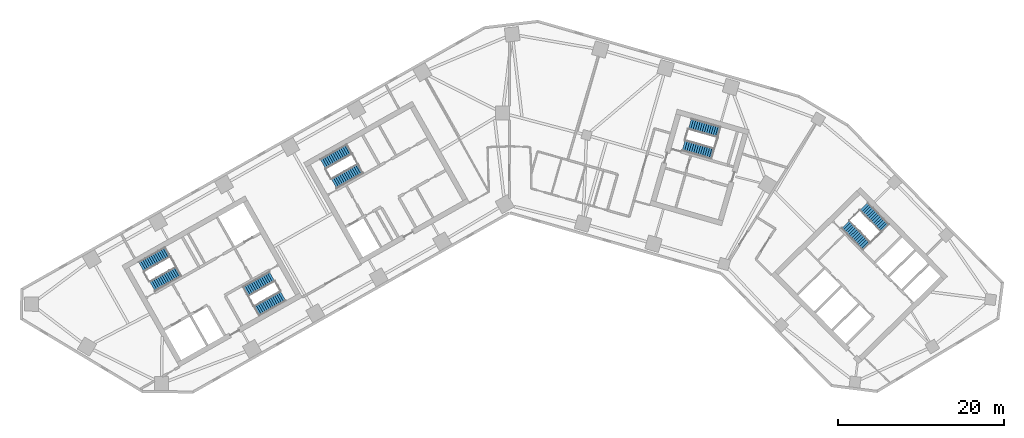
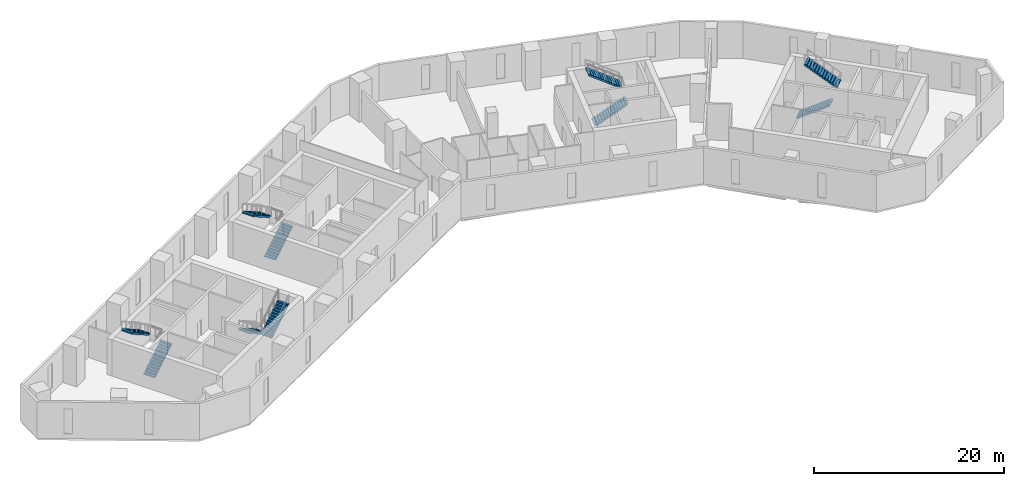
# One storey, part 8 of 10: 10 stair flights, 5 elements without a shape of their own.
"""IFC4 building model written with IfcOpenShell, lengths in metres."""

import ifcopenshell
import ifcopenshell.guid

model = None  # the IFC model being written
_history = None  # IfcOwnerHistory: only IFC2X3 demands one
_inside = {}  # id of a spatial element -> (the spatial element, [elements in it])
_under = {}  # id of a project, library or spatial element -> (it, [spatial elements below it])
_declared = {}  # id of a project -> (the project, [libraries it declares])
_typed = {}  # id of a type object -> (the type object, [elements of that type])
_made_of = {}  # id of a material, layer set ... -> (it, [elements and type objects made of it])


def new_model(schema):
    """Start an empty IFC model of exactly this schema.

    Asked for "IFC4X3", IfcOpenShell would pick the latest addendum, in which some entities
    have other attributes; the version numbers below select the first issue.
    IFC2X3 requires an IfcOwnerHistory on every rooted entity: one is made here for all.
    """
    global model, _history
    if schema == "IFC4X3":
        model = ifcopenshell.file(schema_version=(4, 3, 0, 0))
    else:
        model = ifcopenshell.file(schema=schema)
    _inside.clear()
    _under.clear()
    _declared.clear()
    _typed.clear()
    _made_of.clear()
    _history = None
    if model.schema == "IFC2X3":
        org = make("IfcOrganization", Name="unknown")
        user = make(
            "IfcPersonAndOrganization",
            ThePerson=make("IfcPerson", FamilyName="unknown"),
            TheOrganization=org,
        )
        app = make(
            "IfcApplication",
            ApplicationDeveloper=org,
            Version="unknown",
            ApplicationFullName="unknown",
            ApplicationIdentifier="unknown",
        )
        _history = make(
            "IfcOwnerHistory",
            OwningUser=user,
            OwningApplication=app,
            ChangeAction="ADDED",
            CreationDate=0,
        )
    return model


def make(cls, **values):
    """One entity of the class cls with the attributes given. An attribute that is None is left unset."""
    return model.create_entity(
        cls, **{name: value for name, value in values.items() if value is not None}
    )


def rooted(cls, **values):
    """An entity with a GlobalId (a new one), such as an element, a storey or a relation."""
    return make(cls, GlobalId=ifcopenshell.guid.new(), OwnerHistory=_history, **values)


def si_unit(unit_type, name, prefix=None):
    """IfcSIUnit, for example si_unit("LENGTHUNIT", "METRE", prefix="MILLI")."""
    return make("IfcSIUnit", UnitType=unit_type, Prefix=prefix, Name=name)


def assignment(units):
    """IfcUnitAssignment: the units of a project."""
    return None if units is None else make("IfcUnitAssignment", Units=units)


def point(xyz):
    """IfcCartesianPoint."""
    return None if xyz is None else make("IfcCartesianPoint", Coordinates=xyz)


def direction(xyz):
    """IfcDirection."""
    return None if xyz is None else make("IfcDirection", DirectionRatios=xyz)


def frame(location, z_axis=None, x_axis=None):
    """IfcAxis2Placement3D, a coordinate frame: its origin and axes. An axis left out is left unset."""
    return make(
        "IfcAxis2Placement3D",
        Location=point(location),
        Axis=direction(z_axis),
        RefDirection=direction(x_axis),
    )


def origin():
    """The frame at (0, 0, 0) with its axes left unset."""
    return frame((0.0, 0.0, 0.0))


def place(relative_to, where):
    """IfcLocalPlacement: puts the frame where relative to a parent placement (None: the world)."""
    return make(
        "IfcLocalPlacement", PlacementRelTo=relative_to, RelativePlacement=where
    )


def context(
    kind, dimensions, precision=None, world=None, true_north=None, identifier=None
):
    """IfcGeometricRepresentationContext, for example the 3D "Model" context."""
    return make(
        "IfcGeometricRepresentationContext",
        ContextIdentifier=identifier,
        ContextType=kind,
        CoordinateSpaceDimension=dimensions,
        Precision=precision,
        WorldCoordinateSystem=world,
        TrueNorth=true_north,
    )


def subcontext(parent, identifier, kind, view, scale=None):
    """IfcGeometricRepresentationSubContext, for example "Body" below "Model"."""
    return make(
        "IfcGeometricRepresentationSubContext",
        ContextIdentifier=identifier,
        ContextType=kind,
        ParentContext=parent,
        TargetScale=scale,
        TargetView=view,
    )


def project(units=None, contexts=None):
    """IfcProject with its units and contexts."""
    return rooted(
        "IfcProject",
        Name="project",
        RepresentationContexts=contexts,
        UnitsInContext=assignment(units),
    )


def spatial(cls, under=None, at=None, **own):
    """A site, building, storey or space (cls), placed at a placement, below another one or the project."""
    s = rooted(cls, ObjectPlacement=at, **own)
    if under is not None:
        _under.setdefault(under.id(), (under, []))[1].append(s)
    return s


def polyline(points):
    """IfcPolyline through the points."""
    return make("IfcPolyline", Points=[point(p) for p in points])


def outline(outer, holes=None, kind="AREA"):
    """IfcArbitraryClosedProfileDef: a profile drawn as a closed curve; with holes, ...WithVoids."""
    if holes is None:
        return make("IfcArbitraryClosedProfileDef", ProfileType=kind, OuterCurve=outer)
    return make(
        "IfcArbitraryProfileDefWithVoids",
        ProfileType=kind,
        OuterCurve=outer,
        InnerCurves=holes,
    )


def extrude(swept, where, along, depth):
    """IfcExtrudedAreaSolid: the profile swept, set in the frame where, extruded along a direction by depth."""
    return make(
        "IfcExtrudedAreaSolid",
        SweptArea=swept,
        Position=where,
        ExtrudedDirection=direction(along),
        Depth=depth,
    )


def shape(context_of_items, identifier, shape_type, items):
    """IfcShapeRepresentation: the items that make up one representation, for example the "Body"."""
    return make(
        "IfcShapeRepresentation",
        ContextOfItems=context_of_items,
        RepresentationIdentifier=identifier,
        RepresentationType=shape_type,
        Items=items,
    )


def material(Name=None, Category=None):
    """IfcMaterial."""
    return make("IfcMaterial", Name=Name, Category=Category)


def made_of(thing, what):
    """Note that an element or type object is made of a material, layer set ...; save() writes the relation."""
    if what is not None:
        _made_of.setdefault(what.id(), (what, []))[1].append(thing)
    return thing


def type_object(cls, material=None, **own):
    """A type object (cls), such as IfcWallType, which elements share."""
    return made_of(rooted(cls, **own), material)


def element(
    cls,
    number,
    at=None,
    inside=None,
    cuts=None,
    type_object=None,
    material=None,
    context=None,
    identifier="Body",
    shape_type=None,
    held_by="IfcProductDefinitionShape",
    body=None,
    shapes=None,
    **own,
):
    """One element of the class cls, such as IfcWall. Its Tag is "e" and its number.

    at: its placement. inside: the storey or other place that contains it. cuts: it is an
    opening in that element (IfcRelVoidsElement). A single representation is given by context,
    identifier, shape_type and body (its items); several are given by shapes. held_by: the class
    of the entity that holds the representations. save() writes the other relations.
    """
    e = rooted(cls, Tag="e%d" % number, ObjectPlacement=at, **own)
    if body is not None:
        shapes = [shape(context, identifier, shape_type, body)]
    if shapes is not None:
        e.Representation = make(held_by, Representations=shapes)
    if inside is not None:
        _inside.setdefault(inside.id(), (inside, []))[1].append(e)
    if cuts is not None:
        rooted(
            "IfcRelVoidsElement", RelatingBuildingElement=cuts, RelatedOpeningElement=e
        )
    if type_object is not None:
        _typed.setdefault(type_object.id(), (type_object, []))[1].append(e)
    return made_of(e, material)


def aggregate(whole, parts):
    """IfcRelAggregates: a whole, such as a stair, and the parts it consists of."""
    return rooted("IfcRelAggregates", RelatingObject=whole, RelatedObjects=parts)


def save(model, path):
    """Write the relations noted so far, then the file.

    IfcRelAggregates (storeys below a building ...), IfcRelContainedInSpatialStructure (elements
    in a storey), IfcRelDefinesByType, IfcRelAssociatesMaterial and IfcRelDeclares: one each for
    every whole, place, type object, material and project.
    """
    for whole, parts in _under.values():
        aggregate(whole, parts)
    for where, things in _inside.values():
        rooted(
            "IfcRelContainedInSpatialStructure",
            RelatedElements=things,
            RelatingStructure=where,
        )
    for kind, things in _typed.values():
        rooted("IfcRelDefinesByType", RelatedObjects=things, RelatingType=kind)
    for what, things in _made_of.values():
        rooted("IfcRelAssociatesMaterial", RelatedObjects=things, RelatingMaterial=what)
    for by, libraries in _declared.values():
        rooted("IfcRelDeclares", RelatingContext=by, RelatedDefinitions=libraries)
    model.write(path)


model = new_model("IFC4")

# Units and contexts
model_context = context("Model", 3, precision=1e-05, world=origin(), true_north=direction((0.0, 1.0)))
body_context = subcontext(model_context, "Body", "Model", "MODEL_VIEW")
ifc_project = project(units=[si_unit("LENGTHUNIT", "METRE"), si_unit("AREAUNIT", "SQUARE_METRE"), si_unit("VOLUMEUNIT", "CUBIC_METRE"), si_unit("PLANEANGLEUNIT", "RADIAN"), si_unit("MASSUNIT", "GRAM", prefix="KILO")], contexts=[model_context])

# Site, building, storey
site_placement = place(None, origin())
site = spatial("IfcSite", under=ifc_project, at=site_placement, CompositionType="ELEMENT")
building_placement = place(site_placement, origin())
building = spatial("IfcBuilding", under=site, at=building_placement, Name="Binnacle Exchange Tower", CompositionType="ELEMENT")
storey_placement = place(building_placement, frame((0.0, 0.0, 51.5)))
storey = spatial("IfcBuildingStorey", under=building, at=storey_placement, Name="L10", CompositionType="ELEMENT", Elevation=51.5)

# Stair, stair flights
ifc_material = material(Name="Concrete C35/45", Category="concrete")
stair_type = type_object("IfcStairType", Name="STAIR 28 RISERS 179", PredefinedType="HALF_TURN_STAIR", material=ifc_material)
stair_1_placement = place(storey_placement, origin())
stair_1 = element("IfcStair", 1, at=stair_1_placement, inside=storey, type_object=stair_type, Name="L10 Escape stair A1", PredefinedType="HALF_TURN_STAIR")
stair_flight_type = type_object("IfcStairFlightType", Name="STAIR FLIGHT 179X280", PredefinedType="STRAIGHT", material=ifc_material)
stair_flight_1_placement = place(storey_placement, frame((-42.9541015625, 39.17333984375, 0.0), z_axis=(0.0, 0.0, 1.0), x_axis=(0.870355584213, 0.492423757581, 0.0)))
stair_flight_1 = element("IfcStairFlight", 2, at=stair_flight_1_placement, type_object=stair_flight_type, Name="STA1 flight 1", NumberOfRisers=14, NumberOfTreads=13, PredefinedType="STRAIGHT", RiserHeight=0.178571429, TreadLength=0.28, context=body_context, shape_type="SweptSolid", body=[
    extrude(outline(polyline([(0.0, 0.0), (0.0, 0.178466796875), (0.280029296875, 0.178466796875), (0.280029296875, 0.357177734375), (0.56005859375, 0.357177734375), (0.56005859375, 0.53564453125), (0.840087890625, 0.53564453125), (0.840087890625, 0.71435546875), (1.1201171875, 0.71435546875), (1.1201171875, 0.892822265625), (1.39990234375, 0.892822265625), (1.39990234375, 1.071533203125), (1.679931640625, 1.071533203125), (1.679931640625, 1.25), (1.9599609375, 1.25), (1.9599609375, 1.428466796875), (2.239990234375, 1.428466796875), (2.239990234375, 1.607177734375), (2.52001953125, 1.607177734375), (2.52001953125, 1.78564453125), (2.800048828125, 1.78564453125), (2.800048828125, 1.96435546875), (3.080078125, 1.96435546875), (3.080078125, 2.142822265625), (3.360107421875, 2.142822265625), (3.360107421875, 2.321533203125), (3.639892578125, 2.321533203125), (3.639892578125, 2.5), (3.639892578125, 2.1435546875), (0.27880859375, 0.0), (0.0, 0.0)])), frame((0.0, 0.675048828125, 0.0), z_axis=(0.0, -1.0, 0.0), x_axis=(1.0, 0.0, 0.0)), (0.0, 0.0, 1.0), 1.35009765625),
])
stair_flight_2_placement = place(storey_placement, frame((-41.115478515625, 43.315673828125, 2.5), z_axis=(0.0, 0.0, 1.0), x_axis=(-0.870355584213, -0.492423757581, 0.0)))
stair_flight_2 = element("IfcStairFlight", 3, at=stair_flight_2_placement, type_object=stair_flight_type, Name="STA1 flight 2", NumberOfRisers=14, NumberOfTreads=13, PredefinedType="STRAIGHT", RiserHeight=0.178571429, TreadLength=0.28, context=body_context, shape_type="SweptSolid", body=[
    extrude(outline(polyline([(0.0, 0.0), (0.0, 0.178466796875), (0.280029296875, 0.178466796875), (0.280029296875, 0.357177734375), (0.56005859375, 0.357177734375), (0.56005859375, 0.53564453125), (0.840087890625, 0.53564453125), (0.840087890625, 0.71435546875), (1.1201171875, 0.71435546875), (1.1201171875, 0.892822265625), (1.39990234375, 0.892822265625), (1.39990234375, 1.071533203125), (1.679931640625, 1.071533203125), (1.679931640625, 1.25), (1.9599609375, 1.25), (1.9599609375, 1.428466796875), (2.239990234375, 1.428466796875), (2.239990234375, 1.607177734375), (2.52001953125, 1.607177734375), (2.52001953125, 1.78564453125), (2.800048828125, 1.78564453125), (2.800048828125, 1.96435546875), (3.080078125, 1.96435546875), (3.080078125, 2.142822265625), (3.360107421875, 2.142822265625), (3.360107421875, 2.321533203125), (3.639892578125, 2.321533203125), (3.639892578125, 2.5), (3.639892578125, 2.1435546875), (0.27880859375, 0.0), (0.0, 0.0)])), frame((0.0, 0.675048828125, 0.0), z_axis=(0.0, -1.0, 0.0), x_axis=(1.0, 0.0, 0.0)), (0.0, 0.0, 1.0), 1.35009765625),
])
aggregate(stair_1, [stair_flight_1, stair_flight_2])

stair_2_placement = place(storey_placement, origin())
stair_2 = element("IfcStair", 4, at=stair_2_placement, inside=storey, type_object=stair_type, Name="L10 Escape stair A2", PredefinedType="HALF_TURN_STAIR")
stair_flight_3_placement = place(storey_placement, frame((-28.5732421875, 40.3583984375, 0.0), z_axis=(0.0, 0.0, 1.0), x_axis=(-0.870355584213, -0.492423757581, 0.0)))
stair_flight_3 = element("IfcStairFlight", 5, at=stair_flight_3_placement, type_object=stair_flight_type, Name="STA2 flight 1", NumberOfRisers=14, NumberOfTreads=13, PredefinedType="STRAIGHT", RiserHeight=0.178571429, TreadLength=0.28, context=body_context, shape_type="SweptSolid", body=[
    extrude(outline(polyline([(0.0, 0.0), (0.0, 0.178466796875), (0.280029296875, 0.178466796875), (0.280029296875, 0.357177734375), (0.56005859375, 0.357177734375), (0.56005859375, 0.53564453125), (0.840087890625, 0.53564453125), (0.840087890625, 0.71435546875), (1.1201171875, 0.71435546875), (1.1201171875, 0.892822265625), (1.39990234375, 0.892822265625), (1.39990234375, 1.071533203125), (1.679931640625, 1.071533203125), (1.679931640625, 1.25), (1.9599609375, 1.25), (1.9599609375, 1.428466796875), (2.239990234375, 1.428466796875), (2.239990234375, 1.607177734375), (2.52001953125, 1.607177734375), (2.52001953125, 1.78564453125), (2.800048828125, 1.78564453125), (2.800048828125, 1.96435546875), (3.080078125, 1.96435546875), (3.080078125, 2.142822265625), (3.360107421875, 2.142822265625), (3.360107421875, 2.321533203125), (3.639892578125, 2.321533203125), (3.639892578125, 2.5), (3.639892578125, 2.1435546875), (0.27880859375, 0.0), (0.0, 0.0)])), frame((0.0, 0.675048828125, 0.0), z_axis=(0.0, -1.0, 0.0), x_axis=(1.0, 0.0, 0.0)), (0.0, 0.0, 1.0), 1.35009765625),
])
stair_flight_4_placement = place(storey_placement, frame((-30.411865234375, 36.216064453125, 2.5), z_axis=(0.0, 0.0, 1.0), x_axis=(0.870355584213, 0.492423757581, 0.0)))
stair_flight_4 = element("IfcStairFlight", 6, at=stair_flight_4_placement, type_object=stair_flight_type, Name="STA2 flight 2", NumberOfRisers=14, NumberOfTreads=13, PredefinedType="STRAIGHT", RiserHeight=0.178571429, TreadLength=0.28, context=body_context, shape_type="SweptSolid", body=[
    extrude(outline(polyline([(0.0, 0.0), (0.0, 0.178466796875), (0.280029296875, 0.178466796875), (0.280029296875, 0.357177734375), (0.56005859375, 0.357177734375), (0.56005859375, 0.53564453125), (0.840087890625, 0.53564453125), (0.840087890625, 0.71435546875), (1.1201171875, 0.71435546875), (1.1201171875, 0.892822265625), (1.39990234375, 0.892822265625), (1.39990234375, 1.071533203125), (1.679931640625, 1.071533203125), (1.679931640625, 1.25), (1.9599609375, 1.25), (1.9599609375, 1.428466796875), (2.239990234375, 1.428466796875), (2.239990234375, 1.607177734375), (2.52001953125, 1.607177734375), (2.52001953125, 1.78564453125), (2.800048828125, 1.78564453125), (2.800048828125, 1.96435546875), (3.080078125, 1.96435546875), (3.080078125, 2.142822265625), (3.360107421875, 2.142822265625), (3.360107421875, 2.321533203125), (3.639892578125, 2.321533203125), (3.639892578125, 2.5), (3.639892578125, 2.1435546875), (0.27880859375, 0.0), (0.0, 0.0)])), frame((0.0, 0.675048828125, 0.0), z_axis=(0.0, -1.0, 0.0), x_axis=(1.0, 0.0, 0.0)), (0.0, 0.0, 1.0), 1.35009765625),
])
aggregate(stair_2, [stair_flight_3, stair_flight_4])

stair_3_placement = place(storey_placement, origin())
stair_3 = element("IfcStair", 7, at=stair_3_placement, inside=storey, type_object=stair_type, Name="L10 Escape stair B1", PredefinedType="HALF_TURN_STAIR")
stair_flight_5_placement = place(storey_placement, frame((40.376708984375, 46.608642578125, 0.0), z_axis=(0.0, 0.0, 1.0), x_axis=(0.70090935144, -0.713250363522, 0.0)))
stair_flight_5 = element("IfcStairFlight", 8, at=stair_flight_5_placement, type_object=stair_flight_type, Name="STB1 flight 1", NumberOfRisers=14, NumberOfTreads=13, PredefinedType="STRAIGHT", RiserHeight=0.178571429, TreadLength=0.28, context=body_context, shape_type="SweptSolid", body=[
    extrude(outline(polyline([(0.0, 0.0), (0.0, 0.178466796875), (0.280029296875, 0.178466796875), (0.280029296875, 0.357177734375), (0.56005859375, 0.357177734375), (0.56005859375, 0.53564453125), (0.840087890625, 0.53564453125), (0.840087890625, 0.71435546875), (1.1201171875, 0.71435546875), (1.1201171875, 0.892822265625), (1.39990234375, 0.892822265625), (1.39990234375, 1.071533203125), (1.679931640625, 1.071533203125), (1.679931640625, 1.25), (1.9599609375, 1.25), (1.9599609375, 1.428466796875), (2.239990234375, 1.428466796875), (2.239990234375, 1.607177734375), (2.52001953125, 1.607177734375), (2.52001953125, 1.78564453125), (2.800048828125, 1.78564453125), (2.800048828125, 1.96435546875), (3.080078125, 1.96435546875), (3.080078125, 2.142822265625), (3.360107421875, 2.142822265625), (3.360107421875, 2.321533203125), (3.639892578125, 2.321533203125), (3.639892578125, 2.5), (3.639892578125, 2.1435546875), (0.27880859375, 0.0), (0.0, 0.0)])), frame((0.0, 0.675048828125, 0.0), z_axis=(0.0, -1.0, 0.0), x_axis=(1.0, 0.0, 0.0)), (0.0, 0.0, 1.0), 1.35009765625),
])
stair_flight_6_placement = place(storey_placement, frame((45.13916015625, 46.185302734375, 2.5), z_axis=(0.0, 0.0, 1.0), x_axis=(-0.70090935144, 0.713250363522, 0.0)))
stair_flight_6 = element("IfcStairFlight", 9, at=stair_flight_6_placement, type_object=stair_flight_type, Name="STB1 flight 2", NumberOfRisers=14, NumberOfTreads=13, PredefinedType="STRAIGHT", RiserHeight=0.178571429, TreadLength=0.28, context=body_context, shape_type="SweptSolid", body=[
    extrude(outline(polyline([(0.0, 0.0), (0.0, 0.178466796875), (0.280029296875, 0.178466796875), (0.280029296875, 0.357177734375), (0.56005859375, 0.357177734375), (0.56005859375, 0.53564453125), (0.840087890625, 0.53564453125), (0.840087890625, 0.71435546875), (1.1201171875, 0.71435546875), (1.1201171875, 0.892822265625), (1.39990234375, 0.892822265625), (1.39990234375, 1.071533203125), (1.679931640625, 1.071533203125), (1.679931640625, 1.25), (1.9599609375, 1.25), (1.9599609375, 1.428466796875), (2.239990234375, 1.428466796875), (2.239990234375, 1.607177734375), (2.52001953125, 1.607177734375), (2.52001953125, 1.78564453125), (2.800048828125, 1.78564453125), (2.800048828125, 1.96435546875), (3.080078125, 1.96435546875), (3.080078125, 2.142822265625), (3.360107421875, 2.142822265625), (3.360107421875, 2.321533203125), (3.639892578125, 2.321533203125), (3.639892578125, 2.5), (3.639892578125, 2.1435546875), (0.27880859375, 0.0), (0.0, 0.0)])), frame((0.0, 0.675048828125, 0.0), z_axis=(0.0, -1.0, 0.0), x_axis=(1.0, 0.0, 0.0)), (0.0, 0.0, 1.0), 1.35009765625),
])
aggregate(stair_3, [stair_flight_5, stair_flight_6])

stair_4_placement = place(storey_placement, origin())
stair_4 = element("IfcStair", 10, at=stair_4_placement, inside=storey, type_object=stair_type, Name="L10 Escape stair C1", PredefinedType="HALF_TURN_STAIR")
stair_flight_7_placement = place(storey_placement, frame((-21.115966796875, 51.528564453125, 0.0), z_axis=(0.0, 0.0, 1.0), x_axis=(0.870355584213, 0.492423757581, 0.0)))
stair_flight_7 = element("IfcStairFlight", 11, at=stair_flight_7_placement, type_object=stair_flight_type, Name="STC1 flight 1", NumberOfRisers=14, NumberOfTreads=13, PredefinedType="STRAIGHT", RiserHeight=0.178571429, TreadLength=0.28, context=body_context, shape_type="SweptSolid", body=[
    extrude(outline(polyline([(0.0, 0.0), (0.0, 0.178466796875), (0.280029296875, 0.178466796875), (0.280029296875, 0.357177734375), (0.56005859375, 0.357177734375), (0.56005859375, 0.53564453125), (0.840087890625, 0.53564453125), (0.840087890625, 0.71435546875), (1.1201171875, 0.71435546875), (1.1201171875, 0.892822265625), (1.39990234375, 0.892822265625), (1.39990234375, 1.071533203125), (1.679931640625, 1.071533203125), (1.679931640625, 1.25), (1.9599609375, 1.25), (1.9599609375, 1.428466796875), (2.239990234375, 1.428466796875), (2.239990234375, 1.607177734375), (2.52001953125, 1.607177734375), (2.52001953125, 1.78564453125), (2.800048828125, 1.78564453125), (2.800048828125, 1.96435546875), (3.080078125, 1.96435546875), (3.080078125, 2.142822265625), (3.360107421875, 2.142822265625), (3.360107421875, 2.321533203125), (3.639892578125, 2.321533203125), (3.639892578125, 2.5), (3.639892578125, 2.1435546875), (0.27880859375, 0.0), (0.0, 0.0)])), frame((0.0, 0.675048828125, 0.0), z_axis=(0.0, -1.0, 0.0), x_axis=(1.0, 0.0, 0.0)), (0.0, 0.0, 1.0), 1.35009765625),
])
stair_flight_8_placement = place(storey_placement, frame((-19.27734375, 55.671142578125, 2.5), z_axis=(0.0, 0.0, 1.0), x_axis=(-0.870355584213, -0.492423757581, 0.0)))
stair_flight_8 = element("IfcStairFlight", 12, at=stair_flight_8_placement, type_object=stair_flight_type, Name="STC1 flight 2", NumberOfRisers=14, NumberOfTreads=13, PredefinedType="STRAIGHT", RiserHeight=0.178571429, TreadLength=0.28, context=body_context, shape_type="SweptSolid", body=[
    extrude(outline(polyline([(0.0, 0.0), (0.0, 0.178466796875), (0.280029296875, 0.178466796875), (0.280029296875, 0.357177734375), (0.56005859375, 0.357177734375), (0.56005859375, 0.53564453125), (0.840087890625, 0.53564453125), (0.840087890625, 0.71435546875), (1.1201171875, 0.71435546875), (1.1201171875, 0.892822265625), (1.39990234375, 0.892822265625), (1.39990234375, 1.071533203125), (1.679931640625, 1.071533203125), (1.679931640625, 1.25), (1.9599609375, 1.25), (1.9599609375, 1.428466796875), (2.239990234375, 1.428466796875), (2.239990234375, 1.607177734375), (2.52001953125, 1.607177734375), (2.52001953125, 1.78564453125), (2.800048828125, 1.78564453125), (2.800048828125, 1.96435546875), (3.080078125, 1.96435546875), (3.080078125, 2.142822265625), (3.360107421875, 2.142822265625), (3.360107421875, 2.321533203125), (3.639892578125, 2.321533203125), (3.639892578125, 2.5), (3.639892578125, 2.1435546875), (0.27880859375, 0.0), (0.0, 0.0)])), frame((0.0, 0.675048828125, 0.0), z_axis=(0.0, -1.0, 0.0), x_axis=(1.0, 0.0, 0.0)), (0.0, 0.0, 1.0), 1.35009765625),
])
aggregate(stair_4, [stair_flight_7, stair_flight_8])

stair_5_placement = place(storey_placement, origin())
stair_5 = element("IfcStair", 13, at=stair_5_placement, inside=storey, type_object=stair_type, Name="L10 Escape stair D1", PredefinedType="HALF_TURN_STAIR")
stair_flight_9_placement = place(storey_placement, frame((20.914306640625, 56.109619140625, 0.0), z_axis=(0.0, 0.0, 1.0), x_axis=(0.961261811397, -0.275636953165, 0.0)))
stair_flight_9 = element("IfcStairFlight", 14, at=stair_flight_9_placement, type_object=stair_flight_type, Name="STD1 flight 1", NumberOfRisers=14, NumberOfTreads=13, PredefinedType="STRAIGHT", RiserHeight=0.178571429, TreadLength=0.28, context=body_context, shape_type="SweptSolid", body=[
    extrude(outline(polyline([(0.0, 0.0), (0.0, 0.178466796875), (0.280029296875, 0.178466796875), (0.280029296875, 0.357177734375), (0.56005859375, 0.357177734375), (0.56005859375, 0.53564453125), (0.840087890625, 0.53564453125), (0.840087890625, 0.71435546875), (1.1201171875, 0.71435546875), (1.1201171875, 0.892822265625), (1.39990234375, 0.892822265625), (1.39990234375, 1.071533203125), (1.679931640625, 1.071533203125), (1.679931640625, 1.25), (1.9599609375, 1.25), (1.9599609375, 1.428466796875), (2.239990234375, 1.428466796875), (2.239990234375, 1.607177734375), (2.52001953125, 1.607177734375), (2.52001953125, 1.78564453125), (2.800048828125, 1.78564453125), (2.800048828125, 1.96435546875), (3.080078125, 1.96435546875), (3.080078125, 2.142822265625), (3.360107421875, 2.142822265625), (3.360107421875, 2.321533203125), (3.639892578125, 2.321533203125), (3.639892578125, 2.5), (3.639892578125, 2.1435546875), (0.27880859375, 0.0), (0.0, 0.0)])), frame((0.0, 0.675048828125, 0.0), z_axis=(0.0, -1.0, 0.0), x_axis=(1.0, 0.0, 0.0)), (0.0, 0.0, 1.0), 1.35009765625),
])
stair_flight_10_placement = place(storey_placement, frame((25.157470703125, 57.70166015625, 2.5), z_axis=(0.0, 0.0, 1.0), x_axis=(-0.961261811397, 0.275636953165, 0.0)))
stair_flight_10 = element("IfcStairFlight", 15, at=stair_flight_10_placement, type_object=stair_flight_type, Name="STD1 flight 2", NumberOfRisers=14, NumberOfTreads=13, PredefinedType="STRAIGHT", RiserHeight=0.178571429, TreadLength=0.28, context=body_context, shape_type="SweptSolid", body=[
    extrude(outline(polyline([(0.0, 0.0), (0.0, 0.178466796875), (0.280029296875, 0.178466796875), (0.280029296875, 0.357177734375), (0.56005859375, 0.357177734375), (0.56005859375, 0.53564453125), (0.840087890625, 0.53564453125), (0.840087890625, 0.71435546875), (1.1201171875, 0.71435546875), (1.1201171875, 0.892822265625), (1.39990234375, 0.892822265625), (1.39990234375, 1.071533203125), (1.679931640625, 1.071533203125), (1.679931640625, 1.25), (1.9599609375, 1.25), (1.9599609375, 1.428466796875), (2.239990234375, 1.428466796875), (2.239990234375, 1.607177734375), (2.52001953125, 1.607177734375), (2.52001953125, 1.78564453125), (2.800048828125, 1.78564453125), (2.800048828125, 1.96435546875), (3.080078125, 1.96435546875), (3.080078125, 2.142822265625), (3.360107421875, 2.142822265625), (3.360107421875, 2.321533203125), (3.639892578125, 2.321533203125), (3.639892578125, 2.5), (3.639892578125, 2.1435546875), (0.27880859375, 0.0), (0.0, 0.0)])), frame((0.0, 0.675048828125, 0.0), z_axis=(0.0, -1.0, 0.0), x_axis=(1.0, 0.0, 0.0)), (0.0, 0.0, 1.0), 1.35009765625),
])
aggregate(stair_5, [stair_flight_9, stair_flight_10])

save(model, "model.ifc")
